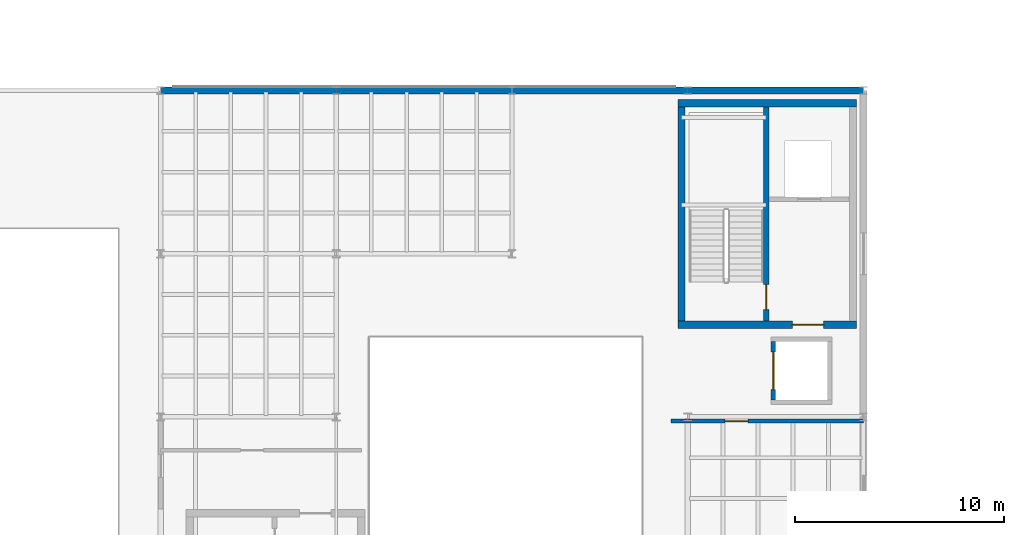
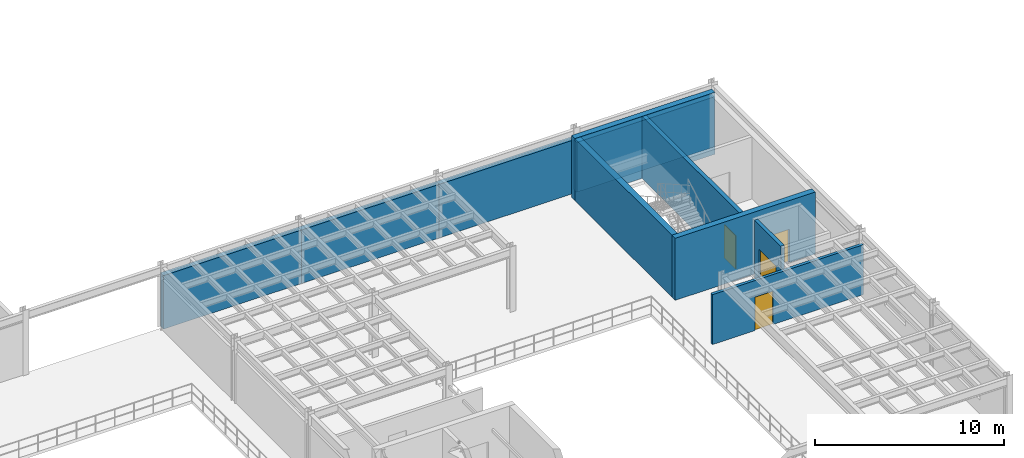
# One storey, part 38 of 54: 10 walls, 4 doors, 4 openings.
"""IFC4 building model written with IfcOpenShell, lengths in metres."""

import ifcopenshell
import ifcopenshell.guid

model = None  # the IFC model being written
_history = None  # IfcOwnerHistory: only IFC2X3 demands one
_inside = {}  # id of a spatial element -> (the spatial element, [elements in it])
_under = {}  # id of a project, library or spatial element -> (it, [spatial elements below it])
_declared = {}  # id of a project -> (the project, [libraries it declares])
_typed = {}  # id of a type object -> (the type object, [elements of that type])
_made_of = {}  # id of a material, layer set ... -> (it, [elements and type objects made of it])


def new_model(schema):
    """Start an empty IFC model of exactly this schema.

    Asked for "IFC4X3", IfcOpenShell would pick the latest addendum, in which some entities
    have other attributes; the version numbers below select the first issue.
    IFC2X3 requires an IfcOwnerHistory on every rooted entity: one is made here for all.
    """
    global model, _history
    if schema == "IFC4X3":
        model = ifcopenshell.file(schema_version=(4, 3, 0, 0))
    else:
        model = ifcopenshell.file(schema=schema)
    _inside.clear()
    _under.clear()
    _declared.clear()
    _typed.clear()
    _made_of.clear()
    _history = None
    if model.schema == "IFC2X3":
        org = make("IfcOrganization", Name="unknown")
        user = make(
            "IfcPersonAndOrganization",
            ThePerson=make("IfcPerson", FamilyName="unknown"),
            TheOrganization=org,
        )
        app = make(
            "IfcApplication",
            ApplicationDeveloper=org,
            Version="unknown",
            ApplicationFullName="unknown",
            ApplicationIdentifier="unknown",
        )
        _history = make(
            "IfcOwnerHistory",
            OwningUser=user,
            OwningApplication=app,
            ChangeAction="ADDED",
            CreationDate=0,
        )
    return model


def make(cls, **values):
    """One entity of the class cls with the attributes given. An attribute that is None is left unset."""
    return model.create_entity(
        cls, **{name: value for name, value in values.items() if value is not None}
    )


def rooted(cls, **values):
    """An entity with a GlobalId (a new one), such as an element, a storey or a relation."""
    return make(cls, GlobalId=ifcopenshell.guid.new(), OwnerHistory=_history, **values)


def si_unit(unit_type, name, prefix=None):
    """IfcSIUnit, for example si_unit("LENGTHUNIT", "METRE", prefix="MILLI")."""
    return make("IfcSIUnit", UnitType=unit_type, Prefix=prefix, Name=name)


def assignment(units):
    """IfcUnitAssignment: the units of a project."""
    return None if units is None else make("IfcUnitAssignment", Units=units)


def point(xyz):
    """IfcCartesianPoint."""
    return None if xyz is None else make("IfcCartesianPoint", Coordinates=xyz)


def direction(xyz):
    """IfcDirection."""
    return None if xyz is None else make("IfcDirection", DirectionRatios=xyz)


def frame(location, z_axis=None, x_axis=None):
    """IfcAxis2Placement3D, a coordinate frame: its origin and axes. An axis left out is left unset."""
    return make(
        "IfcAxis2Placement3D",
        Location=point(location),
        Axis=direction(z_axis),
        RefDirection=direction(x_axis),
    )


def frame_2d(location, x_axis=None):
    """IfcAxis2Placement2D, a coordinate frame in the plane: its origin and x axis."""
    return make(
        "IfcAxis2Placement2D", Location=point(location), RefDirection=direction(x_axis)
    )


def origin():
    """The frame at (0, 0, 0) with its axes left unset."""
    return frame((0.0, 0.0, 0.0))


def place(relative_to, where):
    """IfcLocalPlacement: puts the frame where relative to a parent placement (None: the world)."""
    return make(
        "IfcLocalPlacement", PlacementRelTo=relative_to, RelativePlacement=where
    )


def context(
    kind, dimensions, precision=None, world=None, true_north=None, identifier=None
):
    """IfcGeometricRepresentationContext, for example the 3D "Model" context."""
    return make(
        "IfcGeometricRepresentationContext",
        ContextIdentifier=identifier,
        ContextType=kind,
        CoordinateSpaceDimension=dimensions,
        Precision=precision,
        WorldCoordinateSystem=world,
        TrueNorth=true_north,
    )


def subcontext(parent, identifier, kind, view, scale=None):
    """IfcGeometricRepresentationSubContext, for example "Body" below "Model"."""
    return make(
        "IfcGeometricRepresentationSubContext",
        ContextIdentifier=identifier,
        ContextType=kind,
        ParentContext=parent,
        TargetScale=scale,
        TargetView=view,
    )


def project(units=None, contexts=None):
    """IfcProject with its units and contexts."""
    return rooted(
        "IfcProject",
        Name="project",
        RepresentationContexts=contexts,
        UnitsInContext=assignment(units),
    )


def spatial(cls, under=None, at=None, **own):
    """A site, building, storey or space (cls), placed at a placement, below another one or the project."""
    s = rooted(cls, ObjectPlacement=at, **own)
    if under is not None:
        _under.setdefault(under.id(), (under, []))[1].append(s)
    return s


def profile(cls, at=None, kind="AREA", **sizes):
    """A parametric profile (cls). Its sizes go by their IFC names, for example OverallWidth=200.0."""
    return make(cls, ProfileType=kind, Position=at, **sizes)


def rectangle(**sizes):
    """IfcRectangleProfileDef."""
    return profile("IfcRectangleProfileDef", **sizes)


def extrude(swept, where, along, depth):
    """IfcExtrudedAreaSolid: the profile swept, set in the frame where, extruded along a direction by depth."""
    return make(
        "IfcExtrudedAreaSolid",
        SweptArea=swept,
        Position=where,
        ExtrudedDirection=direction(along),
        Depth=depth,
    )


def shape(context_of_items, identifier, shape_type, items):
    """IfcShapeRepresentation: the items that make up one representation, for example the "Body"."""
    return make(
        "IfcShapeRepresentation",
        ContextOfItems=context_of_items,
        RepresentationIdentifier=identifier,
        RepresentationType=shape_type,
        Items=items,
    )


def material(Name=None, Category=None):
    """IfcMaterial."""
    return make("IfcMaterial", Name=Name, Category=Category)


def layer(
    of_material, thickness, ventilated=None, Name=None, Category=None, Priority=None
):
    """IfcMaterialLayer: one layer of a wall or slab, of a material (None: an air gap)."""
    return make(
        "IfcMaterialLayer",
        Material=of_material,
        LayerThickness=thickness,
        IsVentilated=ventilated,
        Name=Name,
        Category=Category,
        Priority=Priority,
    )


def layer_set(layers, Name=None):
    """IfcMaterialLayerSet."""
    return make("IfcMaterialLayerSet", MaterialLayers=layers, LayerSetName=Name)


def made_of(thing, what):
    """Note that an element or type object is made of a material, layer set ...; save() writes the relation."""
    if what is not None:
        _made_of.setdefault(what.id(), (what, []))[1].append(thing)
    return thing


def type_object(cls, material=None, **own):
    """A type object (cls), such as IfcWallType, which elements share."""
    return made_of(rooted(cls, **own), material)


def element(
    cls,
    number,
    at=None,
    inside=None,
    cuts=None,
    type_object=None,
    material=None,
    context=None,
    identifier="Body",
    shape_type=None,
    held_by="IfcProductDefinitionShape",
    body=None,
    shapes=None,
    **own,
):
    """One element of the class cls, such as IfcWall. Its Tag is "e" and its number.

    at: its placement. inside: the storey or other place that contains it. cuts: it is an
    opening in that element (IfcRelVoidsElement). A single representation is given by context,
    identifier, shape_type and body (its items); several are given by shapes. held_by: the class
    of the entity that holds the representations. save() writes the other relations.
    """
    e = rooted(cls, Tag="e%d" % number, ObjectPlacement=at, **own)
    if body is not None:
        shapes = [shape(context, identifier, shape_type, body)]
    if shapes is not None:
        e.Representation = make(held_by, Representations=shapes)
    if inside is not None:
        _inside.setdefault(inside.id(), (inside, []))[1].append(e)
    if cuts is not None:
        rooted(
            "IfcRelVoidsElement", RelatingBuildingElement=cuts, RelatedOpeningElement=e
        )
    if type_object is not None:
        _typed.setdefault(type_object.id(), (type_object, []))[1].append(e)
    return made_of(e, material)


def fill(opening, filler):
    """IfcRelFillsElement: the door or window that sits in an opening."""
    return rooted(
        "IfcRelFillsElement",
        RelatingOpeningElement=opening,
        RelatedBuildingElement=filler,
    )


def aggregate(whole, parts):
    """IfcRelAggregates: a whole, such as a stair, and the parts it consists of."""
    return rooted("IfcRelAggregates", RelatingObject=whole, RelatedObjects=parts)


def save(model, path):
    """Write the relations noted so far, then the file.

    IfcRelAggregates (storeys below a building ...), IfcRelContainedInSpatialStructure (elements
    in a storey), IfcRelDefinesByType, IfcRelAssociatesMaterial and IfcRelDeclares: one each for
    every whole, place, type object, material and project.
    """
    for whole, parts in _under.values():
        aggregate(whole, parts)
    for where, things in _inside.values():
        rooted(
            "IfcRelContainedInSpatialStructure",
            RelatedElements=things,
            RelatingStructure=where,
        )
    for kind, things in _typed.values():
        rooted("IfcRelDefinesByType", RelatedObjects=things, RelatingType=kind)
    for what, things in _made_of.values():
        rooted("IfcRelAssociatesMaterial", RelatedObjects=things, RelatingMaterial=what)
    for by, libraries in _declared.values():
        rooted("IfcRelDeclares", RelatingContext=by, RelatedDefinitions=libraries)
    model.write(path)


model = new_model("IFC4")

# Units and contexts
model_context = context("Model", 3, precision=1e-05, world=origin(), true_north=direction((0.0, 1.0)))
body_context = subcontext(model_context, "Body", "Model", "MODEL_VIEW")
ifc_project = project(units=[si_unit("LENGTHUNIT", "METRE"), si_unit("AREAUNIT", "SQUARE_METRE"), si_unit("VOLUMEUNIT", "CUBIC_METRE"), si_unit("PLANEANGLEUNIT", "RADIAN"), si_unit("MASSUNIT", "GRAM", prefix="KILO")], contexts=[model_context])

# Site, building, storey
site_placement = place(None, origin())
site = spatial("IfcSite", under=ifc_project, at=site_placement, CompositionType="ELEMENT")
building_placement = place(site_placement, origin())
building = spatial("IfcBuilding", under=site, at=building_placement, Name="Selat Folded Stagehouse", CompositionType="ELEMENT")
storey_placement = place(building_placement, frame((0.0, 0.0, 15.0)))
storey = spatial("IfcBuildingStorey", under=building, at=storey_placement, Name="L03", CompositionType="ELEMENT", Elevation=15.0)

# Wall, opening, door
ifc_material_1 = material(Name="Concrete C40/50", Category="concrete")
ifc_layer_1 = layer(ifc_material_1, 0.179931640625)
ifc_layer_set_1 = layer_set([ifc_layer_1], Name="Concrete C40/50")
wall_type_1 = type_object("IfcWallType", Name="WAL-COMP-180", PredefinedType="STANDARD", material=ifc_layer_set_1)
wall_1_placement = place(storey_placement, frame((58.0, 38.800048828125, 0.0), z_axis=(0.0, 0.0, 1.0), x_axis=(1.0, 0.0, 0.0)))
wall_1 = element("IfcWall", 1, at=wall_1_placement, inside=storey, type_object=wall_type_1, Name="L03 interior partition wall 093", PredefinedType="STANDARD", context=body_context, shape_type="SweptSolid", body=[
    extrude(rectangle(XDim=9.199951171875, YDim=0.179931640625, at=frame_2d((4.60009765625, 0.0))), origin(), (0.0, 0.0, 1.0), 3.22216796875),
])
opening_1_placement = place(wall_1_placement, frame((2.592041015625, 0.0, 0.0)))
opening_1 = element("IfcOpeningElement", 2, at=opening_1_placement, cuts=wall_1, Name="Opening FD-60", PredefinedType="OPENING", context=body_context, shape_type="SweptSolid", body=[
    extrude(rectangle(XDim=1.10009765625, YDim=2.14990234375, at=frame_2d((0.550048828125, 1.074951171875))), frame((0.0, 0.099853515625, 0.0), z_axis=(0.0, -1.0, 0.0), x_axis=(1.0, 0.0, 0.0)), (0.0, 0.0, 1.0), 0.199951171875),
])
ifc_material_2 = material(Name="Fire-rated timber core door", Category="wood")
door_type_1 = type_object("IfcDoorType", Name="DOR-FIRE-60", OperationType="NOTDEFINED", PredefinedType="DOOR", material=ifc_material_2)
door_1_placement = place(opening_1_placement, origin())
door_1 = element("IfcDoor", 3, at=door_1_placement, inside=storey, type_object=door_type_1, Name="L03 interior door IWAL-L03-093-1", OperationType="SINGLE_SWING_LEFT", OverallHeight=2.14990234375, OverallWidth=1.10009765625, PredefinedType="DOOR", context=body_context, shape_type="SweptSolid", body=[
    extrude(rectangle(XDim=1.10009765625, YDim=2.14990234375, at=frame_2d((0.550048828125, 1.074951171875))), frame((0.0, 0.02490234375, 0.0), z_axis=(0.0, -1.0, 0.0), x_axis=(1.0, 0.0, 0.0)), (0.0, 0.0, 1.0), 0.050048828125),
])
fill(opening_1, door_1)

ifc_layer_2 = layer(ifc_material_1, 0.215087890625)
ifc_layer_set_2 = layer_set([ifc_layer_2], Name="Concrete C40/50")
wall_type_2 = type_object("IfcWallType", Name="WAL-COMP-215", PredefinedType="STANDARD", material=ifc_layer_set_2)
wall_2_placement = place(storey_placement, frame((62.89990234375, 39.8076171875, 0.0), z_axis=(0.0, 0.0, 1.0), x_axis=(0.0, 1.0, 0.0)))
wall_2 = element("IfcWall", 4, at=wall_2_placement, inside=storey, type_object=wall_type_2, Name="L03 GL-01 west front wall", PredefinedType="STANDARD", context=body_context, shape_type="SweptSolid", body=[
    extrude(rectangle(XDim=2.784912109375, YDim=0.215087890625, at=frame_2d((1.392578125, 0.0))), origin(), (0.0, 0.0, 1.0), 3.991943359375),
])
opening_2_placement = place(wall_2_placement, frame((0.492431640625, 0.0, 0.0)))
opening_2 = element("IfcOpeningElement", 5, at=opening_2_placement, cuts=wall_2, Name="Opening LD-02", PredefinedType="OPENING", context=body_context, shape_type="SweptSolid", body=[
    extrude(rectangle(XDim=1.800048828125, YDim=2.39990234375, at=frame_2d((0.89990234375, 1.199951171875))), frame((0.0, 0.117431640625, 0.0), z_axis=(0.0, -1.0, 0.0), x_axis=(1.0, 0.0, 0.0)), (0.0, 0.0, 1.0), 0.235107421875),
])
ifc_material_3 = material(Name="Goods lift heavy sliding landing door", Category="wood")
door_type_2 = type_object("IfcDoorType", Name="DOR-LFT-1800", OperationType="NOTDEFINED", PredefinedType="DOOR", material=ifc_material_3)
door_2_placement = place(opening_2_placement, origin())
door_2 = element("IfcDoor", 6, at=door_2_placement, inside=storey, type_object=door_type_2, Name="L03 GL-01 lift sliding landing door", OperationType="SLIDING_TO_RIGHT", OverallHeight=2.39990234375, OverallWidth=1.800048828125, PredefinedType="DOOR", context=body_context, shape_type="SweptSolid", body=[
    extrude(rectangle(XDim=1.800048828125, YDim=2.39990234375, at=frame_2d((0.89990234375, 1.199951171875))), frame((0.0, 0.02490234375, 0.0), z_axis=(0.0, -1.0, 0.0), x_axis=(1.0, 0.0, 0.0)), (0.0, 0.0, 1.0), 0.050048828125),
])
fill(opening_2, door_2)

ifc_material_4 = material(Name="Concrete C50/60", Category="concrete")
ifc_layer_3 = layer(ifc_material_4, 0.25)
ifc_layer_set_3 = layer_set([ifc_layer_3], Name="Concrete C50/60")
wall_type_3 = type_object("IfcWallType", Name="WAL-CORE-250", PredefinedType="SHEAR", material=ifc_layer_set_3)
wall_3_placement = place(storey_placement, frame((62.550048828125, 53.824951171875, 0.0), z_axis=(0.0, 0.0, 1.0), x_axis=(0.0, -1.0, 0.0)))
wall_3 = element("IfcWall", 7, at=wall_3_placement, inside=storey, type_object=wall_type_3, Name="L03 CR-2 internal core divider wall", PredefinedType="SHEAR", context=body_context, shape_type="SweptSolid", body=[
    extrude(rectangle(XDim=10.25, YDim=0.25, at=frame_2d((5.125, 0.0))), origin(), (0.0, 0.0, 1.0), 4.0),
])
opening_3_placement = place(wall_3_placement, frame((8.5, 0.0, 0.0)))
opening_3 = element("IfcOpeningElement", 8, at=opening_3_placement, cuts=wall_3, Name="Opening FD-120", PredefinedType="OPENING", context=body_context, shape_type="SweptSolid", body=[
    extrude(rectangle(XDim=1.199951171875, YDim=2.14990234375, at=frame_2d((0.60009765625, 1.074951171875))), frame((0.0, 0.135009765625, 0.0), z_axis=(0.0, -1.0, 0.0), x_axis=(1.0, 0.0, 0.0)), (0.0, 0.0, 1.0), 0.27001953125),
])
ifc_material_5 = material(Name="Fire-rated steel acoustic door", Category="steel")
door_type_3 = type_object("IfcDoorType", Name="DOR-FIRE-120", OperationType="NOTDEFINED", PredefinedType="DOOR", material=ifc_material_5)
door_3_placement = place(opening_3_placement, origin())
door_3 = element("IfcDoor", 9, at=door_3_placement, inside=storey, type_object=door_type_3, Name="L03 CR-2 protected stair fire door", OperationType="SINGLE_SWING_LEFT", OverallHeight=2.14990234375, OverallWidth=1.199951171875, PredefinedType="DOOR", context=body_context, shape_type="SweptSolid", body=[
    extrude(rectangle(XDim=1.199951171875, YDim=2.14990234375, at=frame_2d((0.60009765625, 1.074951171875))), frame((0.0, 0.02490234375, 0.0), z_axis=(0.0, -1.0, 0.0), x_axis=(1.0, 0.0, 0.0)), (0.0, 0.0, 1.0), 0.050048828125),
])
fill(opening_3, door_3)

# Walls
ifc_material_6 = material(Name="Precast concrete C40/50", Category="concrete")
ifc_layer_4 = layer(ifc_material_6, 0.324951171875)
ifc_layer_set_4 = layer_set([ifc_layer_4], Name="Precast concrete C40/50")
wall_type_4 = type_object("IfcWallType", Name="WAL-EXT-325", PredefinedType="STANDARD", material=ifc_layer_set_4)
for number, where, z_axis, x_axis, name in (
    (10, (33.60009765625, 54.60009765625, 0.0), (0.0, 0.0, 1.0), (1.0, 0.0, 0.0), "L03 exterior facade wall EW-L03-V2N-33"),
    (11, (42.0, 54.60009765625, 0.0), (0.0, 0.0, 1.0), (1.0, 0.0, 0.0), "L03 exterior facade wall EW-L03-V2N-42"),
):
    element("IfcWall", number, at=place(storey_placement, frame(where, z_axis=z_axis, x_axis=x_axis)), inside=storey, type_object=wall_type_4, Name=name, PredefinedType="STANDARD", context=body_context, shape_type="SweptSolid", body=[
        extrude(rectangle(XDim=8.39990234375, YDim=0.324951171875, at=frame_2d((4.199951171875, 0.0))), origin(), (0.0, 0.0, 1.0), 3.45263671875),
    ])
wall_4_placement = place(storey_placement, frame((50.39990234375, 54.60009765625, 0.0), z_axis=(0.0, 0.0, 1.0), x_axis=(1.0, 0.0, 0.0)))
element("IfcWall", 12, at=wall_4_placement, inside=storey, type_object=wall_type_4, Name="L03 exterior facade wall EW-L03-V2N-50", PredefinedType="STANDARD", context=body_context, shape_type="SweptSolid", body=[
    extrude(rectangle(XDim=8.400146484375, YDim=0.324951171875, at=frame_2d((4.2001953125, 0.0))), origin(), (0.0, 0.0, 1.0), 3.45263671875),
])
wall_5_placement = place(storey_placement, frame((58.800048828125, 54.60009765625, 0.0), z_axis=(0.0, 0.0, 1.0), x_axis=(1.0, 0.0, 0.0)))
element("IfcWall", 13, at=wall_5_placement, inside=storey, type_object=wall_type_4, Name="L03 exterior facade wall EW-L03-V2N-58", PredefinedType="STANDARD", context=body_context, shape_type="SweptSolid", body=[
    extrude(rectangle(XDim=8.39990234375, YDim=0.324951171875, at=frame_2d((4.199951171875, 0.0))), origin(), (0.0, 0.0, 1.0), 3.22216796875),
])

# Wall, opening, door
ifc_layer_5 = layer(ifc_material_4, 0.35009765625)
ifc_layer_set_5 = layer_set([ifc_layer_5], Name="Concrete C50/60")
wall_type_5 = type_object("IfcWallType", Name="WAL-SW-350", PredefinedType="SHEAR", material=ifc_layer_set_5)
wall_6_placement = place(storey_placement, frame((66.875, 43.39990234375, 0.0), z_axis=(0.0, 0.0, 1.0), x_axis=(-1.0, 0.0, 0.0)))
wall_6 = element("IfcWall", 14, at=wall_6_placement, inside=storey, type_object=wall_type_5, Name="L03 CR-2 south shear wall", PredefinedType="SHEAR", context=body_context, shape_type="SweptSolid", body=[
    extrude(rectangle(XDim=8.550048828125, YDim=0.35009765625, at=frame_2d((4.27490234375, 0.0))), origin(), (0.0, 0.0, 1.0), 4.0),
])
opening_4_placement = place(wall_6_placement, frame((1.574951171875, 0.0, 0.0)))
opening_4 = element("IfcOpeningElement", 15, at=opening_4_placement, cuts=wall_6, Name="Opening FD-120B", PredefinedType="OPENING", context=body_context, shape_type="SweptSolid", body=[
    extrude(rectangle(XDim=1.5, YDim=2.14990234375, at=frame_2d((0.75, 1.074951171875))), frame((0.0, 0.18505859375, 0.0), z_axis=(0.0, -1.0, 0.0), x_axis=(1.0, 0.0, 0.0)), (0.0, 0.0, 1.0), 0.3701171875),
])
ifc_material_7 = material(Name="Firefighting lobby double-leaf fire door", Category="wood")
door_type_4 = type_object("IfcDoorType", Name="DOR-FFL-1500", OperationType="NOTDEFINED", PredefinedType="DOOR", material=ifc_material_7)
door_4_placement = place(opening_4_placement, origin())
door_4 = element("IfcDoor", 16, at=door_4_placement, inside=storey, type_object=door_type_4, Name="L03 CR-2 core lobby fire door", OperationType="SINGLE_SWING_RIGHT", OverallHeight=2.14990234375, OverallWidth=1.5, PredefinedType="DOOR", context=body_context, shape_type="SweptSolid", body=[
    extrude(rectangle(XDim=1.5, YDim=2.14990234375, at=frame_2d((0.75, 1.074951171875))), frame((0.0, 0.02490234375, 0.0), z_axis=(0.0, -1.0, 0.0), x_axis=(1.0, 0.0, 0.0)), (0.0, 0.0, 1.0), 0.050048828125),
])
fill(opening_4, door_4)

# Walls
wall_7_placement = place(storey_placement, frame((58.324951171875, 54.0, 0.0), z_axis=(0.0, 0.0, 1.0), x_axis=(1.0, 0.0, 0.0)))
element("IfcWall", 17, at=wall_7_placement, inside=storey, type_object=wall_type_5, Name="L03 CR-2 north shear wall", PredefinedType="SHEAR", context=body_context, shape_type="SweptSolid", body=[
    extrude(rectangle(XDim=8.550048828125, YDim=0.35009765625, at=frame_2d((4.27490234375, 0.0))), origin(), (0.0, 0.0, 1.0), 4.0),
])
wall_8_placement = place(storey_placement, frame((58.5, 43.574951171875, 0.0), z_axis=(0.0, 0.0, 1.0), x_axis=(0.0, 1.0, 0.0)))
element("IfcWall", 18, at=wall_8_placement, inside=storey, type_object=wall_type_5, Name="L03 CR-2 west shear wall", PredefinedType="SHEAR", context=body_context, shape_type="SweptSolid", body=[
    extrude(rectangle(XDim=10.25, YDim=0.35009765625, at=frame_2d((5.125, 0.0))), origin(), (0.0, 0.0, 1.0), 4.0),
])

save(model, "model.ifc")
